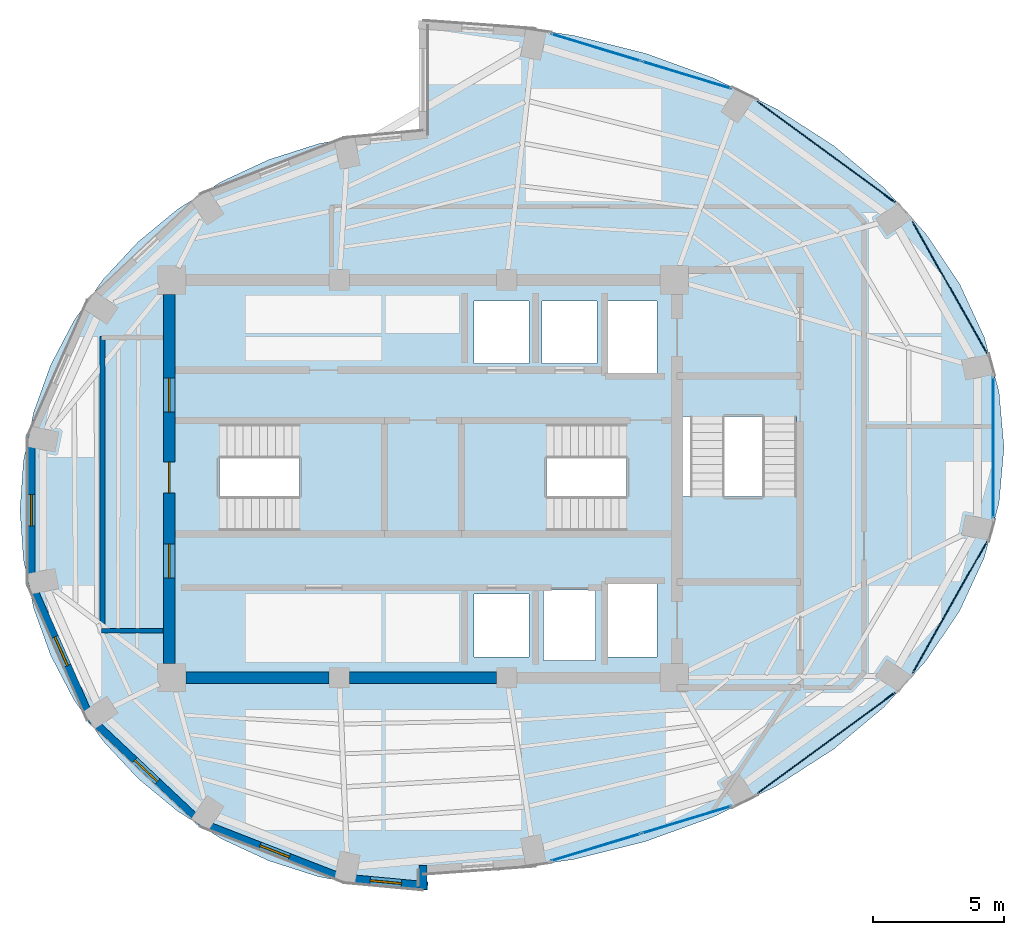
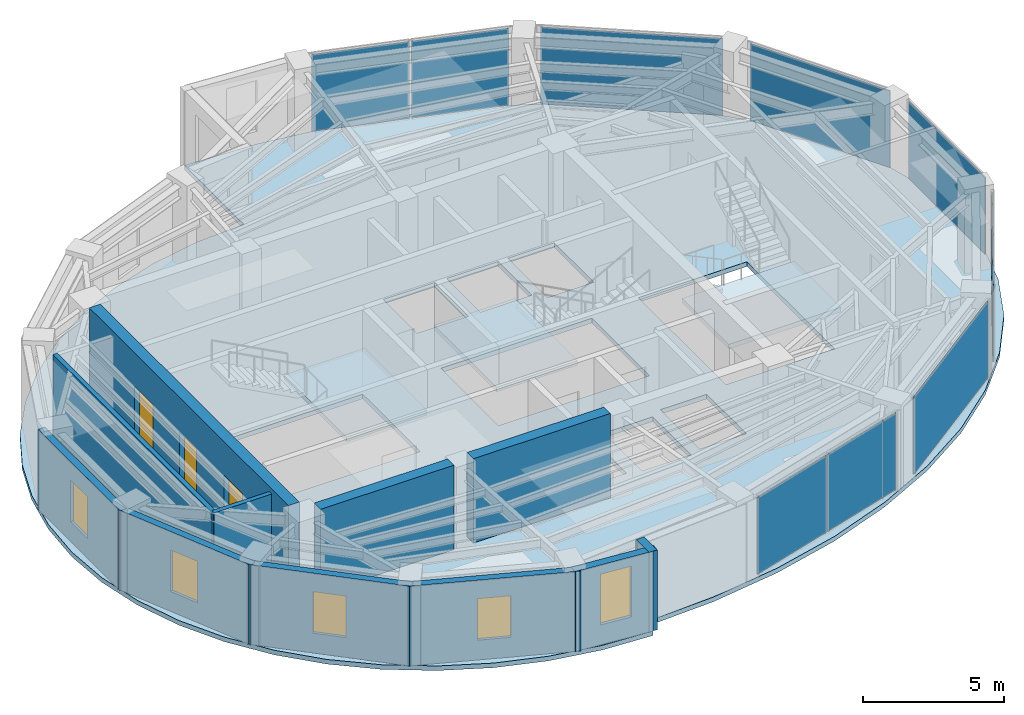
# One storey, part 8 of 12: 11 walls, 9 plates, 5 windows, 4 slabs, 3 doors, 8 openings, 10 elements without a shape of their own.
"""IFC4 building model written with IfcOpenShell, lengths in metres."""

from ifc_helpers import new_model, si_unit, direction, frame, frame_2d, origin, origin_2d, place, context, subcontext, project, spatial, polyline, rectangle, outline, extrude, material, layer, layer_set, type_object, element, fill, aggregate, save


model = new_model("IFC4")

# Units and contexts
model_context = context("Model", 3, precision=1e-05, world=origin(), true_north=direction((0.0, 1.0)))
body_context = subcontext(model_context, "Body", "Model", "MODEL_VIEW")
ifc_project = project(units=[si_unit("LENGTHUNIT", "METRE"), si_unit("AREAUNIT", "SQUARE_METRE"), si_unit("VOLUMEUNIT", "CUBIC_METRE"), si_unit("PLANEANGLEUNIT", "RADIAN"), si_unit("MASSUNIT", "GRAM", prefix="KILO")], contexts=[model_context])

# Site, building, storey
site_placement = place(None, origin())
site = spatial("IfcSite", under=ifc_project, at=site_placement, CompositionType="ELEMENT")
building_placement = place(site_placement, origin())
building = spatial("IfcBuilding", under=site, at=building_placement, Name="Lazwardi Medical Tower", CompositionType="ELEMENT")
storey_placement = place(building_placement, frame((0.0, 0.0, 291.50390625)))
storey = spatial("IfcBuildingStorey", under=building, at=storey_placement, Name="L76", CompositionType="ELEMENT", Elevation=291.50390625)

# Curtain wall, plates
ifc_material_1 = material(Name="Anodised bronze aluminium and solar control glazing", Category="aluminium")
ifc_layer_1 = layer(ifc_material_1, 0.18994140625)
ifc_layer_set_1 = layer_set([ifc_layer_1], Name="Anodised bronze aluminium and solar control glazing")
curtain_wall_type = type_object("IfcCurtainWallType", Name="CW-SYS-04", PredefinedType="NOTDEFINED", material=ifc_layer_set_1)
curtain_wall_1_placement = place(storey_placement, origin())
curtain_wall_1 = element("IfcCurtainWall", 1, at=curtain_wall_1_placement, inside=storey, type_object=curtain_wall_type, Name="L76 Unitised bronze curtain wall CW-04", PredefinedType="NOTDEFINED")
ifc_material_2 = material(Name="Low-e bronze solar control double glazing", Category="glass")
ifc_layer_2 = layer(ifc_material_2, 0.035888671875)
ifc_layer_set_2 = layer_set([ifc_layer_2], Name="Low-e bronze solar control double glazing")
plate_type = type_object("IfcPlateType", Name="PLT-GLZ-01", PredefinedType="CURTAIN_PANEL", material=ifc_layer_set_2)
plate_1_placement = place(storey_placement, frame((42.604736328125, 13.918701171875, 0.06494140625), z_axis=(0.0, 0.0, 1.0), x_axis=(0.956850126972, 0.290581889515, 0.0)))
plate_1 = element("IfcPlate", 2, at=plate_1_placement, type_object=plate_type, Name="CW-04 panel 1.1", PredefinedType="CURTAIN_PANEL", context=body_context, shape_type="SweptSolid", body=[
    extrude(rectangle(XDim=3.554443359375, YDim=0.035888671875, at=origin_2d()), origin(), (0.0, 0.0, 1.0), 3.318115234375),
])
plate_2_placement = place(storey_placement, frame((46.068115234375, 14.970458984375, 0.06494140625), z_axis=(0.0, 0.0, 1.0), x_axis=(0.956850126972, 0.290581889515, 0.0)))
plate_2 = element("IfcPlate", 3, at=plate_2_placement, type_object=plate_type, Name="CW-04 panel 2.1", PredefinedType="CURTAIN_PANEL", context=body_context, shape_type="SweptSolid", body=[
    extrude(rectangle(XDim=3.554443359375, YDim=0.035888671875, at=origin_2d()), origin(), (0.0, 0.0, 1.0), 3.318115234375),
])
aggregate(curtain_wall_1, [plate_1, plate_2])

# Curtain wall, plate
curtain_wall_2_placement = place(storey_placement, origin())
curtain_wall_2 = element("IfcCurtainWall", 4, at=curtain_wall_2_placement, inside=storey, type_object=curtain_wall_type, Name="L76 Unitised bronze curtain wall CW-04", PredefinedType="NOTDEFINED")
plate_3_placement = place(storey_placement, frame((51.403564453125, 17.90673828125, 0.06494140625), z_axis=(0.0, 0.0, 1.0), x_axis=(0.806474971121, 0.591268230971, 0.0)))
plate_3 = element("IfcPlate", 5, at=plate_3_placement, type_object=plate_type, Name="CW-04 panel 1.1", PredefinedType="CURTAIN_PANEL", context=body_context, shape_type="SweptSolid", body=[
    extrude(rectangle(XDim=6.502685546875, YDim=0.035888671875, at=origin_2d()), origin(), (0.0, 0.0, 1.0), 3.318115234375),
])
aggregate(curtain_wall_2, [plate_3])

curtain_wall_3_placement = place(storey_placement, origin())
curtain_wall_3 = element("IfcCurtainWall", 6, at=curtain_wall_3_placement, inside=storey, type_object=curtain_wall_type, Name="L76 Unitised bronze curtain wall CW-04", PredefinedType="NOTDEFINED")
plate_4_placement = place(storey_placement, frame((56.125732421875, 23.088134765625, 0.06494140625), z_axis=(0.0, 0.0, 1.0), x_axis=(0.491900474661, 0.870651436011, 0.0)))
plate_4 = element("IfcPlate", 7, at=plate_4_placement, type_object=plate_type, Name="CW-04 panel 1.1", PredefinedType="CURTAIN_PANEL", context=body_context, shape_type="SweptSolid", body=[
    extrude(rectangle(XDim=5.755126953125, YDim=0.035888671875, at=origin_2d()), origin(), (0.0, 0.0, 1.0), 3.318115234375),
])
aggregate(curtain_wall_3, [plate_4])

curtain_wall_4_placement = place(storey_placement, origin())
curtain_wall_4 = element("IfcCurtainWall", 8, at=curtain_wall_4_placement, inside=storey, type_object=curtain_wall_type, Name="L76 Unitised bronze curtain wall CW-04", PredefinedType="NOTDEFINED")
plate_5_placement = place(storey_placement, frame((57.7841796875, 29.199951171875, 0.06494140625), z_axis=(0.0, 0.0, 1.0), x_axis=(0.0, 1.0, 0.0)))
plate_5 = element("IfcPlate", 9, at=plate_5_placement, type_object=plate_type, Name="CW-04 panel 1.1", PredefinedType="CURTAIN_PANEL", context=body_context, shape_type="SweptSolid", body=[
    extrude(rectangle(XDim=5.416015625, YDim=0.035888671875, at=origin_2d()), origin(), (0.0, 0.0, 1.0), 3.318115234375),
])
aggregate(curtain_wall_4, [plate_5])

curtain_wall_5_placement = place(storey_placement, origin())
curtain_wall_5 = element("IfcCurtainWall", 10, at=curtain_wall_5_placement, inside=storey, type_object=curtain_wall_type, Name="L76 Unitised bronze curtain wall CW-04", PredefinedType="NOTDEFINED")
plate_6_placement = place(storey_placement, frame((56.125732421875, 35.311767578125, 0.06494140625), z_axis=(0.0, 0.0, 1.0), x_axis=(-0.491900474661, 0.870651436011, 0.0)))
plate_6 = element("IfcPlate", 11, at=plate_6_placement, type_object=plate_type, Name="CW-04 panel 1.1", PredefinedType="CURTAIN_PANEL", context=body_context, shape_type="SweptSolid", body=[
    extrude(rectangle(XDim=5.755126953125, YDim=0.035888671875, at=origin_2d()), origin(), (0.0, 0.0, 1.0), 3.318115234375),
])
aggregate(curtain_wall_5, [plate_6])

curtain_wall_6_placement = place(storey_placement, origin())
curtain_wall_6 = element("IfcCurtainWall", 12, at=curtain_wall_6_placement, inside=storey, type_object=curtain_wall_type, Name="L76 Unitised bronze curtain wall CW-04", PredefinedType="NOTDEFINED")
plate_7_placement = place(storey_placement, frame((51.403564453125, 40.4931640625, 0.06494140625), z_axis=(0.0, 0.0, 1.0), x_axis=(-0.806474971121, 0.591268230971, 0.0)))
plate_7 = element("IfcPlate", 13, at=plate_7_placement, type_object=plate_type, Name="CW-04 panel 1.1", PredefinedType="CURTAIN_PANEL", context=body_context, shape_type="SweptSolid", body=[
    extrude(rectangle(XDim=6.502685546875, YDim=0.035888671875, at=origin_2d()), origin(), (0.0, 0.0, 1.0), 3.318115234375),
])
aggregate(curtain_wall_6, [plate_7])

# Curtain wall, plates
curtain_wall_7_placement = place(storey_placement, origin())
curtain_wall_7 = element("IfcCurtainWall", 14, at=curtain_wall_7_placement, inside=storey, type_object=curtain_wall_type, Name="L76 Unitised bronze curtain wall CW-04", PredefinedType="NOTDEFINED")
plate_8_placement = place(storey_placement, frame((46.068115234375, 43.429443359375, 0.06494140625), z_axis=(0.0, 0.0, 1.0), x_axis=(-0.956850126972, 0.290581889515, 0.0)))
plate_8 = element("IfcPlate", 15, at=plate_8_placement, type_object=plate_type, Name="CW-04 panel 1.1", PredefinedType="CURTAIN_PANEL", context=body_context, shape_type="SweptSolid", body=[
    extrude(rectangle(XDim=3.554443359375, YDim=0.035888671875, at=origin_2d()), origin(), (0.0, 0.0, 1.0), 3.318115234375),
])
plate_9_placement = place(storey_placement, frame((42.604736328125, 44.481201171875, 0.06494140625), z_axis=(0.0, 0.0, 1.0), x_axis=(-0.956850126972, 0.290581889515, 0.0)))
plate_9 = element("IfcPlate", 16, at=plate_9_placement, type_object=plate_type, Name="CW-04 panel 2.1", PredefinedType="CURTAIN_PANEL", context=body_context, shape_type="SweptSolid", body=[
    extrude(rectangle(XDim=3.554443359375, YDim=0.035888671875, at=origin_2d()), origin(), (0.0, 0.0, 1.0), 3.318115234375),
])
aggregate(curtain_wall_7, [plate_8, plate_9])

# Stair, slab
ifc_material_3 = material(Name="Concrete C45/55", Category="concrete")
stair_type = type_object("IfcStairType", Name="STR-WRD", PredefinedType="HALF_TURN_STAIR", material=ifc_material_3)
stair_1_placement = place(storey_placement, origin())
stair_1 = element("IfcStair", 17, at=stair_1_placement, inside=storey, type_object=stair_type, Name="L76 Protected Exit Stair ST1", PredefinedType="HALF_TURN_STAIR")
ifc_layer_3 = layer(ifc_material_3, 0.199951171875)
ifc_layer_set_3 = layer_set([ifc_layer_3], Name="Concrete C45/55")
slab_type_1 = type_object("IfcSlabType", Name="SLB-LND-190", PredefinedType="LANDING", material=ifc_layer_set_3)
slab_1_placement = place(storey_placement, frame((0.0, 0.0, 1.6240234375)))
slab_1 = element("IfcSlab", 18, at=slab_1_placement, type_object=slab_type_1, Name="ST1 landing 1", PredefinedType="LANDING", context=body_context, shape_type="SweptSolid", body=[
    extrude(outline(polyline([(31.27490234375, 25.840087890625), (34.580078125, 25.840087890625), (34.580078125, 30.280029296875), (31.27490234375, 30.280029296875), (31.27490234375, 25.840087890625)])), origin(), (0.0, 0.0, 1.0), 0.199951171875),
])
aggregate(stair_1, [slab_1])

stair_2_placement = place(storey_placement, origin())
stair_2 = element("IfcStair", 19, at=stair_2_placement, inside=storey, type_object=stair_type, Name="L76 Protected Exit Stair ST2", PredefinedType="HALF_TURN_STAIR")
slab_2_placement = place(storey_placement, frame((0.0, 0.0, 1.6240234375)))
slab_2 = element("IfcSlab", 20, at=slab_2_placement, type_object=slab_type_1, Name="ST2 landing 1", PredefinedType="LANDING", context=body_context, shape_type="SweptSolid", body=[
    extrude(outline(polyline([(40.72509765625, 30.280029296875), (37.419921875, 30.280029296875), (37.419921875, 25.840087890625), (40.72509765625, 25.840087890625), (40.72509765625, 30.280029296875)])), origin(), (0.0, 0.0, 1.0), 0.199951171875),
])
aggregate(stair_2, [slab_2])

stair_3_placement = place(storey_placement, origin())
stair_3 = element("IfcStair", 21, at=stair_3_placement, inside=storey, type_object=stair_type, Name="L76 Protected Exit Stair ST3", PredefinedType="HALF_TURN_STAIR")
slab_3_placement = place(storey_placement, frame((0.0, 0.0, 1.6240234375)))
slab_3 = element("IfcSlab", 22, at=slab_3_placement, type_object=slab_type_1, Name="ST3 landing 1", PredefinedType="LANDING", context=body_context, shape_type="SweptSolid", body=[
    extrude(outline(polyline([(45.860107421875, 27.324951171875), (45.860107421875, 24.02001953125), (50.4599609375, 24.02001953125), (50.4599609375, 27.324951171875), (45.860107421875, 27.324951171875)])), origin(), (0.0, 0.0, 1.0), 0.199951171875),
])
aggregate(stair_3, [slab_3])

# Slab
ifc_material_4 = material(Name="Concrete C50/60", Category="concrete")
ifc_layer_4 = layer(ifc_material_4, 0.199951171875)
ifc_layer_set_4 = layer_set([ifc_layer_4], Name="Concrete C50/60")
slab_type_2 = type_object("IfcSlabType", Name="SLB-UPP-200", PredefinedType="FLOOR", material=ifc_layer_set_4)
slab_4_placement = place(storey_placement, frame((0.0, 0.0, -0.199951171875)))
element("IfcSlab", 23, at=slab_4_placement, inside=storey, type_object=slab_type_2, Name="Structural floor slab SF-04 L76", PredefinedType="FLOOR", context=body_context, shape_type="SweptSolid", body=[
    extrude(outline(polyline([(23.782470703125, 17.972900390625), (25.110595703125, 16.547119140625), (26.625, 15.29638671875), (28.300048828125, 14.24267578125), (30.106689453125, 13.40380859375), (32.01416015625, 12.794189453125), (33.989990234375, 12.424072265625), (36.0, 12.300048828125), (36.0, 12.89990234375), (38.897705078125, 13.039306640625), (41.745849609375, 13.455322265625), (44.49560546875, 14.140869140625), (47.10009765625, 15.083740234375), (49.514404296875, 16.268310546875), (51.69775390625, 17.67431640625), (53.6123046875, 19.277099609375), (55.225830078125, 21.050048828125), (56.510009765625, 22.96240234375), (57.443603515625, 24.981201171875), (58.010009765625, 27.072509765625), (58.199951171875, 29.199951171875), (58.010009765625, 31.32763671875), (57.443603515625, 33.418701171875), (56.510009765625, 35.437744140625), (55.225830078125, 37.35009765625), (53.6123046875, 39.122802734375), (51.69775390625, 40.725830078125), (49.514404296875, 42.131591796875), (47.10009765625, 43.316162109375), (44.49560546875, 44.25927734375), (41.745849609375, 44.944580078125), (38.897705078125, 45.360595703125), (36.0, 45.5), (36.0, 41.300048828125), (33.989990234375, 41.176025390625), (32.01416015625, 40.805908203125), (30.106689453125, 40.1962890625), (28.300048828125, 39.357421875), (26.625, 38.3037109375), (25.110595703125, 37.052978515625), (23.782470703125, 35.626953125), (22.6630859375, 34.050048828125), (21.772216796875, 32.348876953125), (21.124755859375, 30.552978515625), (20.731689453125, 28.692626953125), (20.60009765625, 26.800048828125), (20.731689453125, 24.907470703125), (21.124755859375, 23.047119140625), (21.772216796875, 21.251220703125), (22.6630859375, 19.550048828125), (23.782470703125, 17.972900390625)]), holes=[polyline([(28.22509765625, 26.02001953125), (28.22509765625, 30.10009765625), (34.39990234375, 30.10009765625), (34.39990234375, 26.02001953125), (28.22509765625, 26.02001953125)]), polyline([(37.60009765625, 30.10009765625), (43.77490234375, 30.10009765625), (43.77490234375, 26.02001953125), (37.60009765625, 26.02001953125), (37.60009765625, 30.10009765625)]), polyline([(50.280029296875, 30.375), (50.280029296875, 24.179931640625), (45.840087890625, 24.179931640625), (45.840087890625, 30.375), (50.280029296875, 30.375)]), polyline([(40.050048828125, 32.39990234375), (37.949951171875, 32.39990234375), (37.949951171875, 34.800048828125), (40.050048828125, 34.800048828125), (40.050048828125, 32.39990234375)]), polyline([(40.550048828125, 32.39990234375), (40.550048828125, 34.800048828125), (42.64990234375, 34.800048828125), (42.64990234375, 32.39990234375), (40.550048828125, 32.39990234375)]), polyline([(37.949951171875, 23.60009765625), (40.050048828125, 23.60009765625), (40.050048828125, 21.199951171875), (37.949951171875, 21.199951171875), (37.949951171875, 23.60009765625)]), polyline([(44.949951171875, 34.800048828125), (44.949951171875, 32.0), (43.050048828125, 32.0), (43.050048828125, 34.800048828125), (44.949951171875, 34.800048828125)]), polyline([(44.949951171875, 21.199951171875), (43.050048828125, 21.199951171875), (43.050048828125, 24.0), (44.949951171875, 24.0), (44.949951171875, 21.199951171875)]), polyline([(40.60009765625, 21.050048828125), (40.60009765625, 23.75), (42.60009765625, 23.75), (42.60009765625, 21.050048828125), (40.60009765625, 21.050048828125)])]), origin(), (0.0, 0.0, 1.0), 0.199951171875),
])

# Walls
ifc_material_5 = material(Name="Fire-rated gypsum board on steel stud", Category="steel")
ifc_layer_5 = layer(ifc_material_5, 0.179931640625)
ifc_layer_set_5 = layer_set([ifc_layer_5], Name="Fire-rated gypsum board on steel stud")
wall_type_1 = type_object("IfcWallType", Name="WL-COR-180", PredefinedType="PARTITIONING", material=ifc_layer_set_5)
wall_1_placement = place(storey_placement, frame((26.06005859375, 22.199951171875, 0.0), z_axis=(0.0, 0.0, 1.0), x_axis=(-1.0, 0.0, 0.0)))
element("IfcWall", 24, at=wall_1_placement, inside=storey, type_object=wall_type_1, Name="L76 Corridor partition 7", PredefinedType="PARTITIONING", context=body_context, shape_type="SweptSolid", body=[
    extrude(rectangle(XDim=2.35009765625, YDim=0.179931640625, at=frame_2d((1.175048828125, 0.0))), origin(), (0.0, 0.0, 1.0), 3.447998046875),
])
wall_2_placement = place(storey_placement, frame((23.75, 22.159912109375, 0.0), z_axis=(0.0, 0.0, 1.0), x_axis=(0.0, 1.0, 0.0)))
element("IfcWall", 25, at=wall_2_placement, inside=storey, type_object=wall_type_1, Name="L76 Corridor partition 8", PredefinedType="PARTITIONING", context=body_context, shape_type="SweptSolid", body=[
    extrude(rectangle(XDim=11.280029296875, YDim=0.179931640625, at=frame_2d((5.64013671875, 0.0))), origin(), (0.0, 0.0, 1.0), 3.447998046875),
])

# Wall, openings, doors
ifc_material_6 = material(Name="Concrete C60/75", Category="concrete")
ifc_layer_6 = layer(ifc_material_6, 0.449951171875)
ifc_layer_set_6 = layer_set([ifc_layer_6], Name="Concrete C60/75")
wall_type_2 = type_object("IfcWallType", Name="WL-CORE-450", PredefinedType="SHEAR", material=ifc_layer_set_6)
wall_3_placement = place(storey_placement, frame((26.300048828125, 20.949951171875, 0.0), z_axis=(0.0, 0.0, 1.0), x_axis=(0.0, 1.0, 0.0)))
wall_3 = element("IfcWall", 26, at=wall_3_placement, inside=storey, type_object=wall_type_2, Name="Core wall CW-S4 west L76", PredefinedType="SHEAR", context=body_context, shape_type="SweptSolid", body=[
    extrude(rectangle(XDim=14.10009765625, YDim=0.449951171875, at=frame_2d((7.050048828125, 0.0))), origin(), (0.0, 0.0, 1.0), 3.648193359375),
])
opening_1_placement = place(wall_3_placement, frame((6.5, 0.0, 0.0)))
opening_1 = element("IfcOpeningElement", 27, at=opening_1_placement, cuts=wall_3, Name="Opening D-L76-010", PredefinedType="OPENING", context=body_context, shape_type="SweptSolid", body=[
    extrude(rectangle(XDim=1.199951171875, YDim=2.14990234375, at=frame_2d((0.60009765625, 1.074951171875))), frame((0.0, 0.23486328125, 0.0), z_axis=(0.0, -1.0, 0.0), x_axis=(1.0, 0.0, 0.0)), (0.0, 0.0, 1.0), 0.469970703125),
])
opening_2_placement = place(wall_3_placement, frame((9.60009765625, 0.0, 0.0)))
opening_2 = element("IfcOpeningElement", 28, at=opening_2_placement, cuts=wall_3, Name="Opening D-L76-006", PredefinedType="OPENING", context=body_context, shape_type="SweptSolid", body=[
    extrude(rectangle(XDim=1.300048828125, YDim=2.199951171875, at=frame_2d((0.64990234375, 1.10009765625))), frame((0.0, 0.23486328125, 0.0), z_axis=(0.0, -1.0, 0.0), x_axis=(1.0, 0.0, 0.0)), (0.0, 0.0, 1.0), 0.469970703125),
])
opening_3_placement = place(wall_3_placement, frame((3.260009765625, 0.0, 0.0)))
opening_3 = element("IfcOpeningElement", 29, at=opening_3_placement, cuts=wall_3, Name="Opening D-L76-007", PredefinedType="OPENING", context=body_context, shape_type="SweptSolid", body=[
    extrude(rectangle(XDim=1.300048828125, YDim=2.199951171875, at=frame_2d((0.64990234375, 1.10009765625))), frame((0.0, 0.23486328125, 0.0), z_axis=(0.0, -1.0, 0.0), x_axis=(1.0, 0.0, 0.0)), (0.0, 0.0, 1.0), 0.469970703125),
])
ifc_material_7 = material(Name="Fire-rated steel leaf and frame", Category="steel")
door_type_1 = type_object("IfcDoorType", Name="DR-FFL-1300", OperationType="NOTDEFINED", PredefinedType="DOOR", material=ifc_material_7)
door_1_placement = place(opening_2_placement, origin())
door_1 = element("IfcDoor", 30, at=door_1_placement, inside=storey, type_object=door_type_1, Name="L76 North Lift Lobby Door", OperationType="SINGLE_SWING_LEFT", OverallHeight=2.199951171875, OverallWidth=1.300048828125, PredefinedType="DOOR", context=body_context, shape_type="SweptSolid", body=[
    extrude(rectangle(XDim=1.300048828125, YDim=2.199951171875, at=frame_2d((0.64990234375, 1.10009765625))), frame((0.0, 0.02490234375, 0.0), z_axis=(0.0, -1.0, 0.0), x_axis=(1.0, 0.0, 0.0)), (0.0, 0.0, 1.0), 0.050048828125),
])
fill(opening_2, door_1)
door_2_placement = place(opening_3_placement, origin())
door_2 = element("IfcDoor", 31, at=door_2_placement, inside=storey, type_object=door_type_1, Name="L76 South Lift Lobby Door", OperationType="SINGLE_SWING_RIGHT", OverallHeight=2.199951171875, OverallWidth=1.300048828125, PredefinedType="DOOR", context=body_context, shape_type="SweptSolid", body=[
    extrude(rectangle(XDim=1.300048828125, YDim=2.199951171875, at=frame_2d((0.64990234375, 1.10009765625))), frame((0.0, 0.02490234375, 0.0), z_axis=(0.0, -1.0, 0.0), x_axis=(1.0, 0.0, 0.0)), (0.0, 0.0, 1.0), 0.050048828125),
])
fill(opening_3, door_2)
door_type_2 = type_object("IfcDoorType", Name="DR-STR-1200", OperationType="NOTDEFINED", PredefinedType="DOOR", material=ifc_material_7)
door_3_placement = place(opening_1_placement, origin())
door_3 = element("IfcDoor", 32, at=door_3_placement, inside=storey, type_object=door_type_2, Name="L76 Exit Stair ST1 Door", OperationType="SINGLE_SWING_RIGHT", OverallHeight=2.14990234375, OverallWidth=1.199951171875, PredefinedType="DOOR", context=body_context, shape_type="SweptSolid", body=[
    extrude(rectangle(XDim=1.199951171875, YDim=2.14990234375, at=frame_2d((0.60009765625, 1.074951171875))), frame((0.0, 0.02490234375, 0.0), z_axis=(0.0, -1.0, 0.0), x_axis=(1.0, 0.0, 0.0)), (0.0, 0.0, 1.0), 0.050048828125),
])
fill(opening_1, door_3)

# Walls
wall_4_placement = place(storey_placement, frame((26.949951171875, 20.39990234375, 0.0), z_axis=(0.0, 0.0, 1.0), x_axis=(1.0, 0.0, 0.0)))
element("IfcWall", 33, at=wall_4_placement, inside=storey, type_object=wall_type_2, Name="Core wall CW-S4 S1 L76", PredefinedType="SHEAR", context=body_context, shape_type="SweptSolid", body=[
    extrude(rectangle(XDim=5.449951171875, YDim=0.449951171875, at=frame_2d((2.72509765625, 0.0))), origin(), (0.0, 0.0, 1.0), 3.648193359375),
])
wall_5_placement = place(storey_placement, frame((33.199951171875, 20.39990234375, 0.0), z_axis=(0.0, 0.0, 1.0), x_axis=(1.0, 0.0, 0.0)))
element("IfcWall", 34, at=wall_5_placement, inside=storey, type_object=wall_type_2, Name="Core wall CW-S4 S2 L76", PredefinedType="SHEAR", context=body_context, shape_type="SweptSolid", body=[
    extrude(rectangle(XDim=5.60009765625, YDim=0.449951171875, at=frame_2d((2.800048828125, 0.0))), origin(), (0.0, 0.0, 1.0), 3.648193359375),
])

# Wall, opening, window
ifc_material_8 = material(Name="Precast concrete C45/55", Category="concrete")
ifc_layer_7 = layer(ifc_material_8, 0.280029296875)
ifc_layer_set_7 = layer_set([ifc_layer_7], Name="Precast concrete C45/55")
wall_type_3 = type_object("IfcWallType", Name="WL-DRUM-280", PredefinedType="SOLIDWALL", material=ifc_layer_set_7)
wall_6_placement = place(storey_placement, frame((21.033203125, 29.701416015625, 0.0), z_axis=(0.0, 0.0, 1.0), x_axis=(0.0, -1.0, 0.0)))
wall_6 = element("IfcWall", 35, at=wall_6_placement, inside=storey, type_object=wall_type_3, Name="L76 West Drum Precast Wall 4", PredefinedType="SOLIDWALL", context=body_context, shape_type="SweptSolid", body=[
    extrude(rectangle(XDim=5.802978515625, YDim=0.280029296875, at=frame_2d((2.9013671875, 0.0))), origin(), (0.0, 0.0, 1.0), 3.447998046875),
])
opening_4_placement = place(wall_6_placement, frame((2.301513671875, 0.0, 0.85009765625)))
opening_4 = element("IfcOpeningElement", 36, at=opening_4_placement, cuts=wall_6, Name="Opening WN-04", PredefinedType="OPENING", context=body_context, shape_type="SweptSolid", body=[
    extrude(rectangle(XDim=1.199951171875, YDim=1.800048828125, at=frame_2d((0.60009765625, 0.89990234375))), frame((0.0, 0.14990234375, 0.0), z_axis=(0.0, -1.0, 0.0), x_axis=(1.0, 0.0, 0.0)), (0.0, 0.0, 1.0), 0.300048828125),
])
window_type_1 = type_object("IfcWindowType", Name="WIN-DRUM-1200", PartitioningType="SINGLE_PANEL", PredefinedType="WINDOW", material=ifc_material_2)
window_1_placement = place(opening_4_placement, origin())
window_1 = element("IfcWindow", 37, at=window_1_placement, inside=storey, type_object=window_type_1, Name="L76 West Drum Window 4", OverallHeight=1.800048828125, OverallWidth=1.199951171875, PartitioningType="SINGLE_PANEL", PredefinedType="WINDOW", context=body_context, shape_type="SweptSolid", body=[
    extrude(rectangle(XDim=1.199951171875, YDim=1.800048828125, at=frame_2d((0.60009765625, 0.89990234375))), frame((0.0, 0.030029296875, 0.0), z_axis=(0.0, -1.0, 0.0), x_axis=(1.0, 0.0, 0.0)), (0.0, 0.0, 1.0), 0.06005859375),
])
fill(opening_4, window_1)

wall_7_placement = place(storey_placement, frame((20.992919921875, 24.090087890625, 0.0), z_axis=(0.0, 0.0, 1.0), x_axis=(0.402867150469, -0.91525846572, 0.0)))
wall_7 = element("IfcWall", 38, at=wall_7_placement, inside=storey, type_object=wall_type_3, Name="L76 West Drum Precast Wall 5", PredefinedType="SOLIDWALL", context=body_context, shape_type="SweptSolid", body=[
    extrude(rectangle(XDim=5.85595703125, YDim=0.280029296875, at=frame_2d((2.927978515625, 0.0))), origin(), (0.0, 0.0, 1.0), 3.447998046875),
])
opening_5_placement = place(wall_7_placement, frame((2.327880859375, 0.0, 0.85009765625)))
opening_5 = element("IfcOpeningElement", 39, at=opening_5_placement, cuts=wall_7, Name="Opening WN-04", PredefinedType="OPENING", context=body_context, shape_type="SweptSolid", body=[
    extrude(rectangle(XDim=1.199951171875, YDim=1.800048828125, at=frame_2d((0.60009765625, 0.89990234375))), frame((0.0, 0.14990234375, 0.0), z_axis=(0.0, -1.0, 0.0), x_axis=(1.0, 0.0, 0.0)), (0.0, 0.0, 1.0), 0.300048828125),
])
window_2_placement = place(opening_5_placement, origin())
window_2 = element("IfcWindow", 40, at=window_2_placement, inside=storey, type_object=window_type_1, Name="L76 West Drum Window 5", OverallHeight=1.800048828125, OverallWidth=1.199951171875, PartitioningType="SINGLE_PANEL", PredefinedType="WINDOW", context=body_context, shape_type="SweptSolid", body=[
    extrude(rectangle(XDim=1.199951171875, YDim=1.800048828125, at=frame_2d((0.60009765625, 0.89990234375))), frame((0.0, 0.030029296875, 0.0), z_axis=(0.0, -1.0, 0.0), x_axis=(1.0, 0.0, 0.0)), (0.0, 0.0, 1.0), 0.06005859375),
])
fill(opening_5, window_2)

wall_8_placement = place(storey_placement, frame((23.239013671875, 18.890380859375, 0.0), z_axis=(0.0, 0.0, 1.0), x_axis=(0.728251519923, -0.685309947199, 0.0)))
wall_8 = element("IfcWall", 41, at=wall_8_placement, inside=storey, type_object=wall_type_3, Name="L76 West Drum Precast Wall 6", PredefinedType="SOLIDWALL", context=body_context, shape_type="SweptSolid", body=[
    extrude(rectangle(XDim=5.98095703125, YDim=0.280029296875, at=frame_2d((2.990478515625, 0.0))), origin(), (0.0, 0.0, 1.0), 3.447998046875),
])
opening_6_placement = place(wall_8_placement, frame((2.390625, 0.0, 0.85009765625)))
opening_6 = element("IfcOpeningElement", 42, at=opening_6_placement, cuts=wall_8, Name="Opening WN-04", PredefinedType="OPENING", context=body_context, shape_type="SweptSolid", body=[
    extrude(rectangle(XDim=1.199951171875, YDim=1.800048828125, at=frame_2d((0.60009765625, 0.89990234375))), frame((0.0, 0.14990234375, 0.0), z_axis=(0.0, -1.0, 0.0), x_axis=(1.0, 0.0, 0.0)), (0.0, 0.0, 1.0), 0.300048828125),
])
window_3_placement = place(opening_6_placement, origin())
window_3 = element("IfcWindow", 43, at=window_3_placement, inside=storey, type_object=window_type_1, Name="L76 West Drum Window 6", OverallHeight=1.800048828125, OverallWidth=1.199951171875, PartitioningType="SINGLE_PANEL", PredefinedType="WINDOW", context=body_context, shape_type="SweptSolid", body=[
    extrude(rectangle(XDim=1.199951171875, YDim=1.800048828125, at=frame_2d((0.60009765625, 0.89990234375))), frame((0.0, 0.030029296875, 0.0), z_axis=(0.0, -1.0, 0.0), x_axis=(1.0, 0.0, 0.0)), (0.0, 0.0, 1.0), 0.06005859375),
])
fill(opening_6, window_3)

wall_9_placement = place(storey_placement, frame((27.4287109375, 14.896484375, 0.0), z_axis=(0.0, 0.0, 1.0), x_axis=(0.931716550814, -0.36318627306, 0.0)))
wall_9 = element("IfcWall", 44, at=wall_9_placement, inside=storey, type_object=wall_type_3, Name="L76 West Drum Precast Wall 7", PredefinedType="SOLIDWALL", context=body_context, shape_type="SweptSolid", body=[
    extrude(rectangle(XDim=6.22412109375, YDim=0.280029296875, at=frame_2d((3.112060546875, 0.0))), origin(), (0.0, 0.0, 1.0), 3.447998046875),
])
opening_7_placement = place(wall_9_placement, frame((2.511962890625, 0.0, 0.85009765625)))
opening_7 = element("IfcOpeningElement", 45, at=opening_7_placement, cuts=wall_9, Name="Opening WN-04", PredefinedType="OPENING", context=body_context, shape_type="SweptSolid", body=[
    extrude(rectangle(XDim=1.199951171875, YDim=1.800048828125, at=frame_2d((0.60009765625, 0.89990234375))), frame((0.0, 0.14990234375, 0.0), z_axis=(0.0, -1.0, 0.0), x_axis=(1.0, 0.0, 0.0)), (0.0, 0.0, 1.0), 0.300048828125),
])
window_4_placement = place(opening_7_placement, origin())
window_4 = element("IfcWindow", 46, at=window_4_placement, inside=storey, type_object=window_type_1, Name="L76 West Drum Window 7", OverallHeight=1.800048828125, OverallWidth=1.199951171875, PartitioningType="SINGLE_PANEL", PredefinedType="WINDOW", context=body_context, shape_type="SweptSolid", body=[
    extrude(rectangle(XDim=1.199951171875, YDim=1.800048828125, at=frame_2d((0.60009765625, 0.89990234375))), frame((0.0, 0.030029296875, 0.0), z_axis=(0.0, -1.0, 0.0), x_axis=(1.0, 0.0, 0.0)), (0.0, 0.0, 1.0), 0.06005859375),
])
fill(opening_7, window_4)

ifc_layer_8 = layer(ifc_material_8, 0.320068359375)
ifc_layer_set_8 = layer_set([ifc_layer_8], Name="Precast concrete C45/55")
wall_type_4 = type_object("IfcWallType", Name="WL-IWAN-320", PredefinedType="SOLIDWALL", material=ifc_layer_set_8)
wall_10_placement = place(storey_placement, frame((32.97705078125, 12.739990234375, 0.0), z_axis=(0.0, 0.0, 1.0), x_axis=(0.995736155144, -0.092247001792, 0.0)))
wall_10 = element("IfcWall", 47, at=wall_10_placement, inside=storey, type_object=wall_type_4, Name="L76 Iwan Portal Return Wall SW_ret", PredefinedType="SOLIDWALL", context=body_context, shape_type="SweptSolid", body=[
    extrude(rectangle(XDim=3.215576171875, YDim=0.320068359375, at=frame_2d((1.60791015625, 0.0))), origin(), (0.0, 0.0, 1.0), 3.447998046875),
])
opening_8_placement = place(wall_10_placement, frame((1.0078125, 0.0, 0.85009765625)))
opening_8 = element("IfcOpeningElement", 48, at=opening_8_placement, cuts=wall_10, Name="Opening WN-01", PredefinedType="OPENING", context=body_context, shape_type="SweptSolid", body=[
    extrude(rectangle(XDim=1.199951171875, YDim=2.199951171875, at=frame_2d((0.60009765625, 1.10009765625))), frame((0.0, 0.169921875, 0.0), z_axis=(0.0, -1.0, 0.0), x_axis=(1.0, 0.0, 0.0)), (0.0, 0.0, 1.0), 0.340087890625),
])
window_type_2 = type_object("IfcWindowType", Name="WIN-IW-1200", PartitioningType="SINGLE_PANEL", PredefinedType="WINDOW", material=ifc_material_2)
window_5_placement = place(opening_8_placement, origin())
window_5 = element("IfcWindow", 49, at=window_5_placement, inside=storey, type_object=window_type_2, Name="L76 Iwan Slot Window SW_ret", OverallHeight=2.199951171875, OverallWidth=1.199951171875, PartitioningType="SINGLE_PANEL", PredefinedType="WINDOW", context=body_context, shape_type="SweptSolid", body=[
    extrude(rectangle(XDim=1.199951171875, YDim=2.199951171875, at=frame_2d((0.60009765625, 1.10009765625))), frame((0.0, 0.030029296875, 0.0), z_axis=(0.0, -1.0, 0.0), x_axis=(1.0, 0.0, 0.0)), (0.0, 0.0, 1.0), 0.06005859375),
])
fill(opening_8, window_5)

# Wall
wall_11_placement = place(storey_placement, frame((36.0, 12.300048828125, 0.0), z_axis=(0.0, 0.0, 1.0), x_axis=(0.0, 1.0, 0.0)))
element("IfcWall", 50, at=wall_11_placement, inside=storey, type_object=wall_type_4, Name="L76 Turquoise Tilework Iwan Seam Wall S_seam", PredefinedType="SOLIDWALL", context=body_context, shape_type="SweptSolid", body=[
    extrude(rectangle(XDim=0.919921875, YDim=0.320068359375, at=frame_2d((0.4599609375, 0.0))), origin(), (0.0, 0.0, 1.0), 3.447998046875),
])

save(model, "model.ifc")
